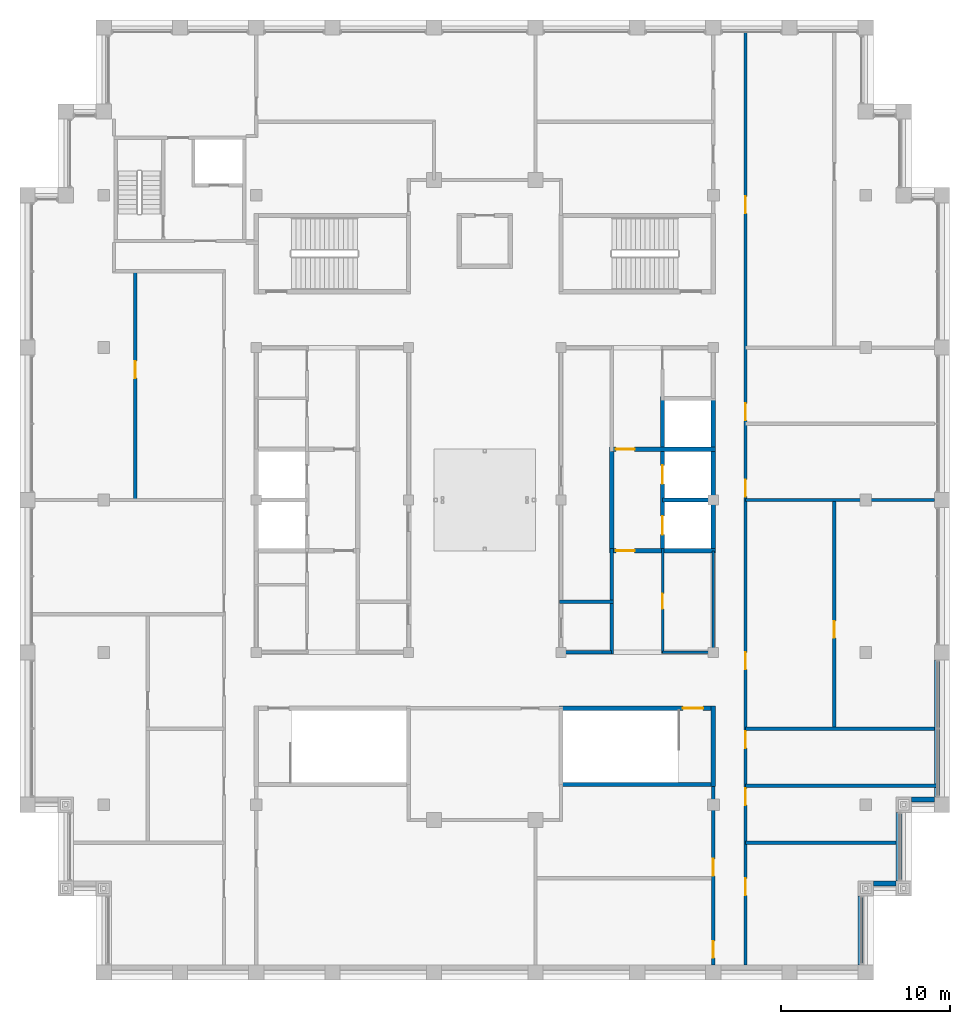
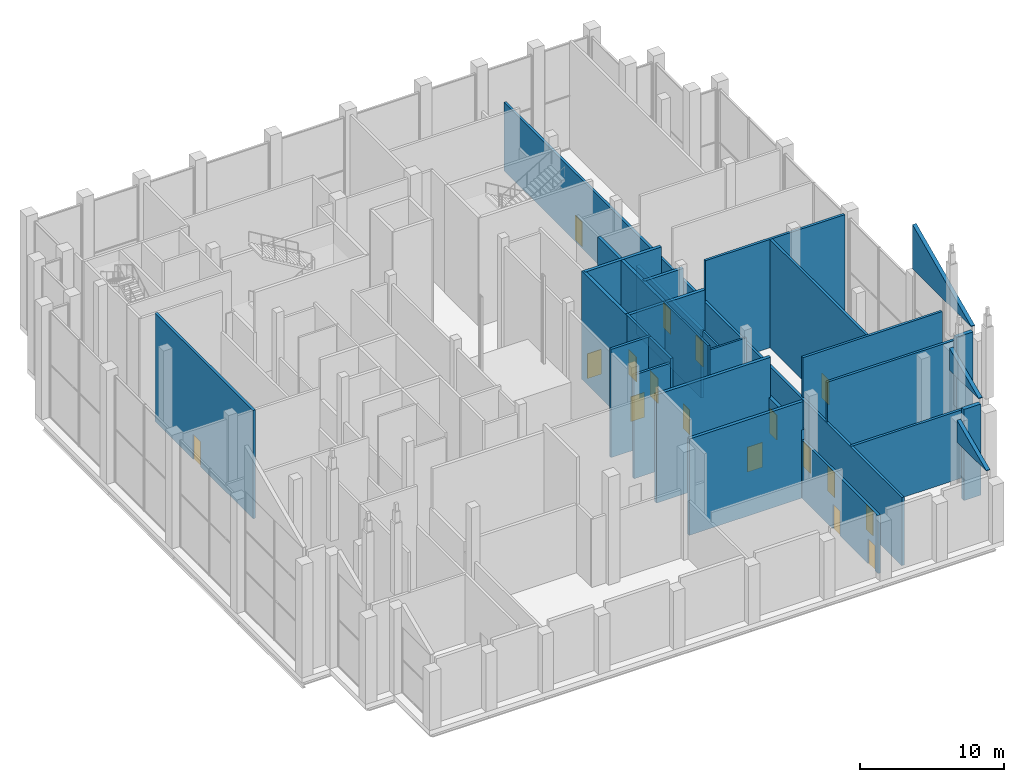
# One storey, part 13 of 16: 28 walls, 17 doors, 17 openings.
"""IFC4 building model written with IfcOpenShell, lengths in metres."""

from ifc_helpers import new_model, si_unit, direction, frame, frame_2d, origin, place, context, subcontext, project, spatial, polyline, rectangle, outline, extrude, material, layer, layer_set, type_object, element, fill, save


model = new_model("IFC4")

# Units and contexts
model_context = context("Model", 3, precision=1e-05, world=origin(), true_north=direction((0.0, 1.0)))
body_context = subcontext(model_context, "Body", "Model", "MODEL_VIEW")
ifc_project = project(units=[si_unit("LENGTHUNIT", "METRE"), si_unit("AREAUNIT", "SQUARE_METRE"), si_unit("VOLUMEUNIT", "CUBIC_METRE"), si_unit("PLANEANGLEUNIT", "RADIAN"), si_unit("MASSUNIT", "GRAM", prefix="KILO")], contexts=[model_context])

# Site, building, storey
site_placement = place(None, origin())
site = spatial("IfcSite", under=ifc_project, at=site_placement, CompositionType="ELEMENT")
building_placement = place(site_placement, origin())
building = spatial("IfcBuilding", under=site, at=building_placement, Name="Corbelhall Arena Tower", CompositionType="ELEMENT")
storey_placement = place(building_placement, frame((0.0, 0.0, 366.0)))
storey = spatial("IfcBuildingStorey", under=building, at=storey_placement, Name="L80", CompositionType="ELEMENT", Elevation=366.0)

# Walls
ifc_material_1 = material(Name="Precast concrete C40/50 with granite facing", Category="masonry")
ifc_layer_1 = layer(ifc_material_1, 0.300048828125)
ifc_layer_set_1 = layer_set([ifc_layer_1], Name="EV-IW1 Infill panel 300")
wall_type_1 = type_object("IfcWallType", Name="EV-IW1 Infill panel 300", PredefinedType="SOLIDWALL", material=ifc_layer_set_1)
wall_1_placement = place(storey_placement, frame((22.949951171875, -22.64990234375, 0.0), z_axis=(0.0, 0.0, 1.0), x_axis=(1.0, 0.0, 0.0)))
element("IfcWall", 1, at=wall_1_placement, inside=storey, type_object=wall_type_1, Name="Infill panel IW1B", PredefinedType="SOLIDWALL", context=body_context, shape_type="SweptSolid", body=[
    extrude(rectangle(XDim=1.35009765625, YDim=0.300048828125, at=frame_2d((0.675048828125, 0.0))), origin(), (0.0, 0.0, 1.0), 7.70654296875),
])
wall_2_placement = place(storey_placement, frame((25.199951171875, -17.699951171875, 0.0), z_axis=(0.0, 0.0, 1.0), x_axis=(1.0, 0.0, 0.0)))
element("IfcWall", 2, at=wall_2_placement, inside=storey, type_object=wall_type_1, Name="Infill panel IW1A", PredefinedType="SOLIDWALL", context=body_context, shape_type="SweptSolid", body=[
    extrude(rectangle(XDim=1.35009765625, YDim=0.300048828125, at=frame_2d((0.675048828125, 0.0))), origin(), (0.0, 0.0, 1.0), 10.012939453125),
])
ifc_layer_2 = layer(ifc_material_1, 0.300048828125)
ifc_layer_set_2 = layer_set([ifc_layer_2], Name="EV-IW3 Parapet 300")
wall_type_2 = type_object("IfcWallType", Name="EV-IW3 Parapet 300", PredefinedType="SOLIDWALL", material=ifc_layer_set_2)
wall_3_placement = place(storey_placement, frame((22.199951171875, -27.449951171875, 5.633056640625), z_axis=(0.0, 0.0, 1.0), x_axis=(0.0, 1.0, 0.0)))
element("IfcWall", 3, at=wall_3_placement, inside=storey, type_object=wall_type_2, Name="Infill panel IW3A", PredefinedType="SOLIDWALL", context=body_context, shape_type="SweptSolid", body=[
    extrude(outline(polyline([(0.0, 0.0), (4.050048828125, 0.0), (4.050048828125, 1.84033203125), (0.0, 0.0498046875), (0.0, 0.0)])), frame((0.0, 0.14990234375, 0.0), z_axis=(0.0, -1.0, 0.0), x_axis=(1.0, 0.0, 0.0)), (0.0, 0.0, 1.0), 0.300048828125),
])
wall_4_placement = place(storey_placement, frame((24.449951171875, -22.5, 7.939453125), z_axis=(0.0, 0.0, 1.0), x_axis=(0.0, 1.0, 0.0)))
element("IfcWall", 4, at=wall_4_placement, inside=storey, type_object=wall_type_2, Name="Infill panel IW3B", PredefinedType="SOLIDWALL", context=body_context, shape_type="SweptSolid", body=[
    extrude(outline(polyline([(0.0, 0.0), (4.050048828125, 0.0), (4.050048828125, 1.840576171875), (0.0, 0.050048828125), (0.0, 0.0)])), frame((0.0, 0.14990234375, 0.0), z_axis=(0.0, -1.0, 0.0), x_axis=(1.0, 0.0, 0.0)), (0.0, 0.0, 1.0), 0.300048828125),
])
wall_5_placement = place(storey_placement, frame((26.699951171875, -17.550048828125, 10.245849609375), z_axis=(0.0, 0.0, 1.0), x_axis=(0.0, 1.0, 0.0)))
element("IfcWall", 5, at=wall_5_placement, inside=storey, type_object=wall_type_2, Name="Infill panel IW3", PredefinedType="SOLIDWALL", context=body_context, shape_type="SweptSolid", body=[
    extrude(outline(polyline([(0.0, 0.0), (8.10009765625, 0.0), (8.10009765625, 3.7275390625), (0.0, 0.050048828125), (0.0, 0.0)])), frame((0.0, 0.14990234375, 0.0), z_axis=(0.0, -1.0, 0.0), x_axis=(1.0, 0.0, 0.0)), (0.0, 0.0, 1.0), 0.300048828125),
])

# Wall, opening, door
ifc_material_2 = material(Name="Gypsum board on steel stud, acoustic", Category="steel")
ifc_layer_3 = layer(ifc_material_2, 0.199951171875)
ifc_layer_set_3 = layer_set([ifc_layer_3], Name="IN-W-DM200")
wall_type_3 = type_object("IfcWallType", Name="IN-W-DM200", PredefinedType="PARTITIONING", material=ifc_layer_set_3)
wall_6_placement = place(storey_placement, frame((-20.64990234375, -0.10009765625, 0.0), z_axis=(0.0, 0.0, 1.0), x_axis=(0.0, 1.0, 0.0)))
wall_6 = element("IfcWall", 6, at=wall_6_placement, inside=storey, type_object=wall_type_3, Name="Partition 005", PredefinedType="PARTITIONING", context=body_context, shape_type="SweptSolid", body=[
    extrude(rectangle(XDim=13.60009765625, YDim=0.199951171875, at=frame_2d((6.800048828125, 0.0))), origin(), (0.0, 0.0, 1.0), 9.149658203125),
])
opening_1_placement = place(wall_6_placement, frame((7.300048828125, 0.0, 0.0)))
opening_1 = element("IfcOpeningElement", 7, at=opening_1_placement, cuts=wall_6, Name="Opening 34028", PredefinedType="OPENING", context=body_context, shape_type="SweptSolid", body=[
    extrude(rectangle(XDim=1.0, YDim=2.10009765625, at=frame_2d((0.5, 1.050048828125))), frame((0.0, 0.10009765625, 0.0), z_axis=(0.0, -1.0, 0.0), x_axis=(1.0, 0.0, 0.0)), (0.0, 0.0, 1.0), 0.199951171875),
])
ifc_material_3 = material(Name="Steel door set", Category="steel")
door_type_1 = type_object("IfcDoorType", Name="IN-D-SW100", OperationType="NOTDEFINED", PredefinedType="DOOR", material=ifc_material_3)
door_1_placement = place(opening_1_placement, origin())
door_1 = element("IfcDoor", 8, at=door_1_placement, inside=storey, type_object=door_type_1, Name="Door 028", OperationType="SINGLE_SWING_LEFT", OverallHeight=2.10009765625, OverallWidth=1.0, PredefinedType="DOOR", context=body_context, shape_type="SweptSolid", body=[
    extrude(rectangle(XDim=1.0, YDim=2.10009765625, at=frame_2d((0.5, 1.050048828125))), frame((0.0, 0.02490234375, 0.0), z_axis=(0.0, -1.0, 0.0), x_axis=(1.0, 0.0, 0.0)), (0.0, 0.0, 1.0), 0.050048828125),
])
fill(opening_1, door_1)

# Wall
wall_7_placement = place(storey_placement, frame((15.39990234375, -20.25, 0.0), z_axis=(0.0, 0.0, 1.0), x_axis=(1.0, 0.0, 0.0)))
element("IfcWall", 9, at=wall_7_placement, inside=storey, type_object=wall_type_3, Name="Partition 030", PredefinedType="PARTITIONING", context=body_context, shape_type="SweptSolid", body=[
    extrude(rectangle(XDim=9.086181640625, YDim=0.199951171875, at=frame_2d((4.54296875, 0.0))), origin(), (0.0, 0.0, 1.0), 5.759765625),
])

# Wall, openings, doors
wall_8_placement = place(storey_placement, frame((15.39990234375, 27.635986328125, 0.0), z_axis=(0.0, 0.0, 1.0), x_axis=(0.0, -1.0, 0.0)))
wall_8 = element("IfcWall", 10, at=wall_8_placement, inside=storey, type_object=wall_type_3, Name="Partition 031", PredefinedType="PARTITIONING", context=body_context, shape_type="SweptSolid", body=[
    extrude(rectangle(XDim=55.0859375, YDim=0.199951171875, at=frame_2d((27.54296875, 0.0))), origin(), (0.0, 0.0, 1.0), 5.759765625),
])
opening_2_placement = place(wall_8_placement, frame((26.43603515625, 0.0, 0.0)))
opening_2 = element("IfcOpeningElement", 11, at=opening_2_placement, cuts=wall_8, Name="Opening 34034", PredefinedType="OPENING", context=body_context, shape_type="SweptSolid", body=[
    extrude(rectangle(XDim=1.0, YDim=2.10009765625, at=frame_2d((0.5, 1.050048828125))), frame((0.0, 0.10009765625, 0.0), z_axis=(0.0, -1.0, 0.0), x_axis=(1.0, 0.0, 0.0)), (0.0, 0.0, 1.0), 0.199951171875),
])
opening_3_placement = place(wall_8_placement, frame((21.93603515625, 0.0, 0.0)))
opening_3 = element("IfcOpeningElement", 12, at=opening_3_placement, cuts=wall_8, Name="Opening 34035", PredefinedType="OPENING", context=body_context, shape_type="SweptSolid", body=[
    extrude(rectangle(XDim=1.0, YDim=2.10009765625, at=frame_2d((0.5, 1.050048828125))), frame((0.0, 0.10009765625, 0.0), z_axis=(0.0, -1.0, 0.0), x_axis=(1.0, 0.0, 0.0)), (0.0, 0.0, 1.0), 0.199951171875),
])
opening_4_placement = place(wall_8_placement, frame((9.699951171875, 0.0, 0.0)))
opening_4 = element("IfcOpeningElement", 13, at=opening_4_placement, cuts=wall_8, Name="Opening 34036", PredefinedType="OPENING", context=body_context, shape_type="SweptSolid", body=[
    extrude(rectangle(XDim=1.0, YDim=2.10009765625, at=frame_2d((0.5, 1.050048828125))), frame((0.0, 0.10009765625, 0.0), z_axis=(0.0, -1.0, 0.0), x_axis=(1.0, 0.0, 0.0)), (0.0, 0.0, 1.0), 0.199951171875),
])
opening_5_placement = place(wall_8_placement, frame((49.986083984375, 0.0, 0.0)))
opening_5 = element("IfcOpeningElement", 14, at=opening_5_placement, cuts=wall_8, Name="Opening 34038", PredefinedType="OPENING", context=body_context, shape_type="SweptSolid", body=[
    extrude(rectangle(XDim=1.0, YDim=2.10009765625, at=frame_2d((0.5, 1.050048828125))), frame((0.0, 0.10009765625, 0.0), z_axis=(0.0, -1.0, 0.0), x_axis=(1.0, 0.0, 0.0)), (0.0, 0.0, 1.0), 0.199951171875),
])
opening_6_placement = place(wall_8_placement, frame((44.660888671875, 0.0, 0.0)))
opening_6 = element("IfcOpeningElement", 15, at=opening_6_placement, cuts=wall_8, Name="Opening 34039", PredefinedType="OPENING", context=body_context, shape_type="SweptSolid", body=[
    extrude(rectangle(XDim=1.0, YDim=2.10009765625, at=frame_2d((0.5, 1.050048828125))), frame((0.0, 0.10009765625, 0.0), z_axis=(0.0, -1.0, 0.0), x_axis=(1.0, 0.0, 0.0)), (0.0, 0.0, 1.0), 0.199951171875),
])
opening_7_placement = place(wall_8_placement, frame((41.285888671875, 0.0, 0.0)))
opening_7 = element("IfcOpeningElement", 16, at=opening_7_placement, cuts=wall_8, Name="Opening 34040", PredefinedType="OPENING", context=body_context, shape_type="SweptSolid", body=[
    extrude(rectangle(XDim=1.0, YDim=2.10009765625, at=frame_2d((0.5, 1.050048828125))), frame((0.0, 0.10009765625, 0.0), z_axis=(0.0, -1.0, 0.0), x_axis=(1.0, 0.0, 0.0)), (0.0, 0.0, 1.0), 0.199951171875),
])
opening_8_placement = place(wall_8_placement, frame((36.635986328125, 0.0, 0.0)))
opening_8 = element("IfcOpeningElement", 17, at=opening_8_placement, cuts=wall_8, Name="Opening 34041", PredefinedType="OPENING", context=body_context, shape_type="SweptSolid", body=[
    extrude(rectangle(XDim=1.0, YDim=2.10009765625, at=frame_2d((0.5, 1.050048828125))), frame((0.0, 0.10009765625, 0.0), z_axis=(0.0, -1.0, 0.0), x_axis=(1.0, 0.0, 0.0)), (0.0, 0.0, 1.0), 0.199951171875),
])
door_2_placement = place(opening_2_placement, origin())
door_2 = element("IfcDoor", 18, at=door_2_placement, inside=storey, type_object=door_type_1, Name="Door 034", OperationType="SINGLE_SWING_LEFT", OverallHeight=2.10009765625, OverallWidth=1.0, PredefinedType="DOOR", context=body_context, shape_type="SweptSolid", body=[
    extrude(rectangle(XDim=1.0, YDim=2.10009765625, at=frame_2d((0.5, 1.050048828125))), frame((0.0, 0.02490234375, 0.0), z_axis=(0.0, -1.0, 0.0), x_axis=(1.0, 0.0, 0.0)), (0.0, 0.0, 1.0), 0.050048828125),
])
fill(opening_2, door_2)
door_3_placement = place(opening_3_placement, origin())
door_3 = element("IfcDoor", 19, at=door_3_placement, inside=storey, type_object=door_type_1, Name="Door 035", OperationType="SINGLE_SWING_RIGHT", OverallHeight=2.10009765625, OverallWidth=1.0, PredefinedType="DOOR", context=body_context, shape_type="SweptSolid", body=[
    extrude(rectangle(XDim=1.0, YDim=2.10009765625, at=frame_2d((0.5, 1.050048828125))), frame((0.0, 0.02490234375, 0.0), z_axis=(0.0, -1.0, 0.0), x_axis=(1.0, 0.0, 0.0)), (0.0, 0.0, 1.0), 0.050048828125),
])
fill(opening_3, door_3)
door_4_placement = place(opening_4_placement, origin())
door_4 = element("IfcDoor", 20, at=door_4_placement, inside=storey, type_object=door_type_1, Name="Door 036", OperationType="SINGLE_SWING_LEFT", OverallHeight=2.10009765625, OverallWidth=1.0, PredefinedType="DOOR", context=body_context, shape_type="SweptSolid", body=[
    extrude(rectangle(XDim=1.0, YDim=2.10009765625, at=frame_2d((0.5, 1.050048828125))), frame((0.0, 0.02490234375, 0.0), z_axis=(0.0, -1.0, 0.0), x_axis=(1.0, 0.0, 0.0)), (0.0, 0.0, 1.0), 0.050048828125),
])
fill(opening_4, door_4)
door_5_placement = place(opening_5_placement, origin())
door_5 = element("IfcDoor", 21, at=door_5_placement, inside=storey, type_object=door_type_1, Name="Door 038", OperationType="SINGLE_SWING_LEFT", OverallHeight=2.10009765625, OverallWidth=1.0, PredefinedType="DOOR", context=body_context, shape_type="SweptSolid", body=[
    extrude(rectangle(XDim=1.0, YDim=2.10009765625, at=frame_2d((0.5, 1.050048828125))), frame((0.0, 0.02490234375, 0.0), z_axis=(0.0, -1.0, 0.0), x_axis=(1.0, 0.0, 0.0)), (0.0, 0.0, 1.0), 0.050048828125),
])
fill(opening_5, door_5)
door_6_placement = place(opening_6_placement, origin())
door_6 = element("IfcDoor", 22, at=door_6_placement, inside=storey, type_object=door_type_1, Name="Door 039", OperationType="SINGLE_SWING_RIGHT", OverallHeight=2.10009765625, OverallWidth=1.0, PredefinedType="DOOR", context=body_context, shape_type="SweptSolid", body=[
    extrude(rectangle(XDim=1.0, YDim=2.10009765625, at=frame_2d((0.5, 1.050048828125))), frame((0.0, 0.02490234375, 0.0), z_axis=(0.0, -1.0, 0.0), x_axis=(1.0, 0.0, 0.0)), (0.0, 0.0, 1.0), 0.050048828125),
])
fill(opening_6, door_6)
door_7_placement = place(opening_7_placement, origin())
door_7 = element("IfcDoor", 23, at=door_7_placement, inside=storey, type_object=door_type_1, Name="Door 040", OperationType="SINGLE_SWING_LEFT", OverallHeight=2.10009765625, OverallWidth=1.0, PredefinedType="DOOR", context=body_context, shape_type="SweptSolid", body=[
    extrude(rectangle(XDim=1.0, YDim=2.10009765625, at=frame_2d((0.5, 1.050048828125))), frame((0.0, 0.02490234375, 0.0), z_axis=(0.0, -1.0, 0.0), x_axis=(1.0, 0.0, 0.0)), (0.0, 0.0, 1.0), 0.050048828125),
])
fill(opening_7, door_7)
door_8_placement = place(opening_8_placement, origin())
door_8 = element("IfcDoor", 24, at=door_8_placement, inside=storey, type_object=door_type_1, Name="Door 041", OperationType="SINGLE_SWING_RIGHT", OverallHeight=2.10009765625, OverallWidth=1.0, PredefinedType="DOOR", context=body_context, shape_type="SweptSolid", body=[
    extrude(rectangle(XDim=1.0, YDim=2.10009765625, at=frame_2d((0.5, 1.050048828125))), frame((0.0, 0.02490234375, 0.0), z_axis=(0.0, -1.0, 0.0), x_axis=(1.0, 0.0, 0.0)), (0.0, 0.0, 1.0), 0.050048828125),
])
fill(opening_8, door_8)

# Walls
wall_9_placement = place(storey_placement, frame((15.39990234375, -16.875, 0.0), z_axis=(0.0, 0.0, 1.0), x_axis=(1.0, 0.0, 0.0)))
element("IfcWall", 25, at=wall_9_placement, inside=storey, type_object=wall_type_3, Name="Partition 032", PredefinedType="PARTITIONING", context=body_context, shape_type="SweptSolid", body=[
    extrude(rectangle(XDim=11.336181640625, YDim=0.199951171875, at=frame_2d((5.66796875, 0.0))), origin(), (0.0, 0.0, 1.0), 9.114501953125),
])
wall_10_placement = place(storey_placement, frame((15.39990234375, -13.5, 0.0), z_axis=(0.0, 0.0, 1.0), x_axis=(1.0, 0.0, 0.0)))
element("IfcWall", 26, at=wall_10_placement, inside=storey, type_object=wall_type_3, Name="Partition 033", PredefinedType="PARTITIONING", context=body_context, shape_type="SweptSolid", body=[
    extrude(rectangle(XDim=11.150146484375, YDim=0.199951171875, at=frame_2d((5.5751953125, 0.0))), origin(), (0.0, 0.0, 1.0), 9.149658203125),
])

# Wall, opening, door
wall_11_placement = place(storey_placement, frame((20.64990234375, 0.0, 0.0), z_axis=(0.0, 0.0, 1.0), x_axis=(0.0, -1.0, 0.0)))
wall_11 = element("IfcWall", 27, at=wall_11_placement, inside=storey, type_object=wall_type_3, Name="Partition 036", PredefinedType="PARTITIONING", context=body_context, shape_type="SweptSolid", body=[
    extrude(rectangle(XDim=13.5, YDim=0.199951171875, at=frame_2d((6.75, 0.0))), origin(), (0.0, 0.0, 1.0), 9.149658203125),
])
opening_9_placement = place(wall_11_placement, frame((7.14990234375, 0.0, 0.0)))
opening_9 = element("IfcOpeningElement", 28, at=opening_9_placement, cuts=wall_11, Name="Opening 34042", PredefinedType="OPENING", context=body_context, shape_type="SweptSolid", body=[
    extrude(rectangle(XDim=1.0, YDim=2.10009765625, at=frame_2d((0.5, 1.050048828125))), frame((0.0, 0.10009765625, 0.0), z_axis=(0.0, -1.0, 0.0), x_axis=(1.0, 0.0, 0.0)), (0.0, 0.0, 1.0), 0.199951171875),
])
door_9_placement = place(opening_9_placement, origin())
door_9 = element("IfcDoor", 29, at=door_9_placement, inside=storey, type_object=door_type_1, Name="Door 042", OperationType="SINGLE_SWING_LEFT", OverallHeight=2.10009765625, OverallWidth=1.0, PredefinedType="DOOR", context=body_context, shape_type="SweptSolid", body=[
    extrude(rectangle(XDim=1.0, YDim=2.10009765625, at=frame_2d((0.5, 1.050048828125))), frame((0.0, 0.02490234375, 0.0), z_axis=(0.0, -1.0, 0.0), x_axis=(1.0, 0.0, 0.0)), (0.0, 0.0, 1.0), 0.050048828125),
])
fill(opening_9, door_9)

# Wall
wall_12_placement = place(storey_placement, frame((26.550048828125, 0.0, 0.0), z_axis=(0.0, 0.0, 1.0), x_axis=(-1.0, 0.0, 0.0)))
element("IfcWall", 30, at=wall_12_placement, inside=storey, type_object=wall_type_3, Name="Partition 038", PredefinedType="PARTITIONING", context=body_context, shape_type="SweptSolid", body=[
    extrude(rectangle(XDim=11.150146484375, YDim=0.199951171875, at=frame_2d((5.5751953125, 0.0))), origin(), (0.0, 0.0, 1.0), 9.149658203125),
])

# Wall, openings, doors
ifc_layer_4 = layer(ifc_material_2, 0.199951171875)
ifc_layer_set_4 = layer_set([ifc_layer_4], Name="IN-W-DM200 under beam 844 mm")
wall_type_4 = type_object("IfcWallType", Name="IN-W-DM200 under beam 844 mm", PredefinedType="PARTITIONING", material=ifc_layer_set_4)
wall_13_placement = place(storey_placement, frame((13.5, -27.449951171875, 0.0), z_axis=(0.0, 0.0, 1.0), x_axis=(0.0, 1.0, 0.0)))
wall_13 = element("IfcWall", 31, at=wall_13_placement, inside=storey, type_object=wall_type_4, Name="Partition 028", PredefinedType="PARTITIONING", context=body_context, shape_type="SweptSolid", body=[
    extrude(rectangle(XDim=10.77490234375, YDim=0.199951171875, at=frame_2d((5.387451171875, 0.0))), origin(), (0.0, 0.0, 1.0), 4.916015625),
])
opening_10_placement = place(wall_13_placement, frame((0.39990234375, 0.0, 0.0)))
opening_10 = element("IfcOpeningElement", 32, at=opening_10_placement, cuts=wall_13, Name="Opening 34025", PredefinedType="OPENING", context=body_context, shape_type="SweptSolid", body=[
    extrude(rectangle(XDim=1.0, YDim=2.10009765625, at=frame_2d((0.5, 1.050048828125))), frame((0.0, 0.10009765625, 0.0), z_axis=(0.0, -1.0, 0.0), x_axis=(1.0, 0.0, 0.0)), (0.0, 0.0, 1.0), 0.199951171875),
])
opening_11_placement = place(wall_13_placement, frame((5.25, 0.0, 0.0)))
opening_11 = element("IfcOpeningElement", 33, at=opening_11_placement, cuts=wall_13, Name="Opening 34026", PredefinedType="OPENING", context=body_context, shape_type="SweptSolid", body=[
    extrude(rectangle(XDim=1.0, YDim=2.10009765625, at=frame_2d((0.5, 1.050048828125))), frame((0.0, 0.10009765625, 0.0), z_axis=(0.0, -1.0, 0.0), x_axis=(1.0, 0.0, 0.0)), (0.0, 0.0, 1.0), 0.199951171875),
])
door_10_placement = place(opening_10_placement, origin())
door_10 = element("IfcDoor", 34, at=door_10_placement, inside=storey, type_object=door_type_1, Name="Door 025", OperationType="SINGLE_SWING_RIGHT", OverallHeight=2.10009765625, OverallWidth=1.0, PredefinedType="DOOR", context=body_context, shape_type="SweptSolid", body=[
    extrude(rectangle(XDim=1.0, YDim=2.10009765625, at=frame_2d((0.5, 1.050048828125))), frame((0.0, 0.02490234375, 0.0), z_axis=(0.0, -1.0, 0.0), x_axis=(1.0, 0.0, 0.0)), (0.0, 0.0, 1.0), 0.050048828125),
])
fill(opening_10, door_10)
door_11_placement = place(opening_11_placement, origin())
door_11 = element("IfcDoor", 35, at=door_11_placement, inside=storey, type_object=door_type_1, Name="Door 026", OperationType="SINGLE_SWING_LEFT", OverallHeight=2.10009765625, OverallWidth=1.0, PredefinedType="DOOR", context=body_context, shape_type="SweptSolid", body=[
    extrude(rectangle(XDim=1.0, YDim=2.10009765625, at=frame_2d((0.5, 1.050048828125))), frame((0.0, 0.02490234375, 0.0), z_axis=(0.0, -1.0, 0.0), x_axis=(1.0, 0.0, 0.0)), (0.0, 0.0, 1.0), 0.050048828125),
])
fill(opening_11, door_11)

# Walls
ifc_material_4 = material(Name="Concrete block wall", Category="concrete")
ifc_layer_5 = layer(ifc_material_4, 0.199951171875)
ifc_layer_set_5 = layer_set([ifc_layer_5], Name="IN-W-RS200")
wall_type_5 = type_object("IfcWallType", Name="IN-W-RS200", PredefinedType="SOLIDWALL", material=ifc_layer_set_5)
wall_14_placement = place(storey_placement, frame((4.39990234375, -6.0, 0.0), z_axis=(0.0, 0.0, 1.0), x_axis=(1.0, 0.0, 0.0)))
element("IfcWall", 36, at=wall_14_placement, inside=storey, type_object=wall_type_5, Name="Partition 050", PredefinedType="SOLIDWALL", context=body_context, shape_type="SweptSolid", body=[
    extrude(rectangle(XDim=3.2001953125, YDim=0.199951171875, at=frame_2d((1.60009765625, 0.0))), origin(), (0.0, 0.0, 1.0), 9.149658203125),
])
wall_15_placement = place(storey_placement, frame((7.5, -2.875, 0.0), z_axis=(0.0, 0.0, 1.0), x_axis=(0.0, -1.0, 0.0)))
element("IfcWall", 37, at=wall_15_placement, inside=storey, type_object=wall_type_5, Name="Partition 054", PredefinedType="SOLIDWALL", context=body_context, shape_type="SweptSolid", body=[
    extrude(rectangle(XDim=6.22509765625, YDim=0.199951171875, at=frame_2d((3.112548828125, 0.0))), origin(), (0.0, 0.0, 1.0), 9.149658203125),
])
ifc_layer_6 = layer(ifc_material_4, 0.199951171875)
ifc_layer_set_6 = layer_set([ifc_layer_6], Name="IN-W-RS200 under beam 396 mm")
wall_type_6 = type_object("IfcWallType", Name="IN-W-RS200 under beam 396 mm", PredefinedType="SOLIDWALL", material=ifc_layer_set_6)
wall_16_placement = place(storey_placement, frame((7.5, -9.0, 0.0), z_axis=(0.0, 0.0, 1.0), x_axis=(-1.0, 0.0, 0.0)))
element("IfcWall", 38, at=wall_16_placement, inside=storey, type_object=wall_type_6, Name="Partition 053", PredefinedType="SOLIDWALL", context=body_context, shape_type="SweptSolid", body=[
    extrude(rectangle(XDim=3.0, YDim=0.199951171875, at=frame_2d((1.5, 0.0))), origin(), (0.0, 0.0, 1.0), 8.75390625),
])

# Wall, opening, door
ifc_material_5 = material(Name="Concrete C40/50", Category="concrete")
ifc_layer_7 = layer(ifc_material_5, 0.25)
ifc_layer_set_7 = layer_set([ifc_layer_7], Name="IN-W-SH250")
wall_type_7 = type_object("IfcWallType", Name="IN-W-SH250", PredefinedType="SOLIDWALL", material=ifc_layer_set_7)
wall_17_placement = place(storey_placement, frame((7.5, -3.0, 0.0), z_axis=(0.0, 0.0, 1.0), x_axis=(1.0, 0.0, 0.0)))
wall_17 = element("IfcWall", 39, at=wall_17_placement, inside=storey, type_object=wall_type_7, Name="Shaft wall 069", PredefinedType="SOLIDWALL", context=body_context, shape_type="SweptSolid", body=[
    extrude(rectangle(XDim=6.125, YDim=0.25, at=frame_2d((3.0625, 0.0))), origin(), (0.0, 0.0, 1.0), 9.149658203125),
])
opening_12_placement = place(wall_17_placement, frame((0.25, 0.0, 0.0)))
opening_12 = element("IfcOpeningElement", 40, at=opening_12_placement, cuts=wall_17, Name="Opening 34011", PredefinedType="OPENING", context=body_context, shape_type="SweptSolid", body=[
    extrude(rectangle(XDim=1.10009765625, YDim=2.10009765625, at=frame_2d((0.550048828125, 1.050048828125))), frame((0.0, 0.125, 0.0), z_axis=(0.0, -1.0, 0.0), x_axis=(1.0, 0.0, 0.0)), (0.0, 0.0, 1.0), 0.25),
])
door_type_2 = type_object("IfcDoorType", Name="IN-D-FD110", OperationType="NOTDEFINED", PredefinedType="DOOR", material=ifc_material_3)
door_12_placement = place(opening_12_placement, origin())
door_12 = element("IfcDoor", 41, at=door_12_placement, inside=storey, type_object=door_type_2, Name="Door 011", OperationType="SINGLE_SWING_RIGHT", OverallHeight=2.10009765625, OverallWidth=1.10009765625, PredefinedType="DOOR", context=body_context, shape_type="SweptSolid", body=[
    extrude(rectangle(XDim=1.10009765625, YDim=2.10009765625, at=frame_2d((0.550048828125, 1.050048828125))), frame((0.0, 0.02490234375, 0.0), z_axis=(0.0, -1.0, 0.0), x_axis=(1.0, 0.0, 0.0)), (0.0, 0.0, 1.0), 0.050048828125),
])
fill(opening_12, door_12)

wall_18_placement = place(storey_placement, frame((7.5, 3.0, 0.0), z_axis=(0.0, 0.0, 1.0), x_axis=(1.0, 0.0, 0.0)))
wall_18 = element("IfcWall", 42, at=wall_18_placement, inside=storey, type_object=wall_type_7, Name="Shaft wall 070", PredefinedType="SOLIDWALL", context=body_context, shape_type="SweptSolid", body=[
    extrude(rectangle(XDim=6.125, YDim=0.25, at=frame_2d((3.0625, 0.0))), origin(), (0.0, 0.0, 1.0), 9.149658203125),
])
opening_13_placement = place(wall_18_placement, frame((0.25, 0.0, 0.0)))
opening_13 = element("IfcOpeningElement", 43, at=opening_13_placement, cuts=wall_18, Name="Opening 34012", PredefinedType="OPENING", context=body_context, shape_type="SweptSolid", body=[
    extrude(rectangle(XDim=1.10009765625, YDim=2.10009765625, at=frame_2d((0.550048828125, 1.050048828125))), frame((0.0, 0.125, 0.0), z_axis=(0.0, -1.0, 0.0), x_axis=(1.0, 0.0, 0.0)), (0.0, 0.0, 1.0), 0.25),
])
door_13_placement = place(opening_13_placement, origin())
door_13 = element("IfcDoor", 44, at=door_13_placement, inside=storey, type_object=door_type_2, Name="Door 012", OperationType="SINGLE_SWING_LEFT", OverallHeight=2.10009765625, OverallWidth=1.10009765625, PredefinedType="DOOR", context=body_context, shape_type="SweptSolid", body=[
    extrude(rectangle(XDim=1.10009765625, YDim=2.10009765625, at=frame_2d((0.550048828125, 1.050048828125))), frame((0.0, 0.02490234375, 0.0), z_axis=(0.0, -1.0, 0.0), x_axis=(1.0, 0.0, 0.0)), (0.0, 0.0, 1.0), 0.050048828125),
])
fill(opening_13, door_13)

# Walls
wall_19_placement = place(storey_placement, frame((7.5, 3.125, 0.0), z_axis=(0.0, 0.0, 1.0), x_axis=(0.0, -1.0, 0.0)))
element("IfcWall", 45, at=wall_19_placement, inside=storey, type_object=wall_type_7, Name="Shaft wall 071", PredefinedType="SOLIDWALL", context=body_context, shape_type="SweptSolid", body=[
    extrude(rectangle(XDim=6.25, YDim=0.25, at=frame_2d((3.125, 0.0))), origin(), (0.0, 0.0, 1.0), 9.149658203125),
])
wall_20_placement = place(storey_placement, frame((10.5, 0.0, 0.0), z_axis=(0.0, 0.0, 1.0), x_axis=(1.0, 0.0, 0.0)))
element("IfcWall", 46, at=wall_20_placement, inside=storey, type_object=wall_type_7, Name="Shaft wall 072", PredefinedType="SOLIDWALL", context=body_context, shape_type="SweptSolid", body=[
    extrude(rectangle(XDim=3.125, YDim=0.25, at=frame_2d((1.5625, 0.0))), origin(), (0.0, 0.0, 1.0), 9.149658203125),
])

# Wall, openings, doors
wall_21_placement = place(storey_placement, frame((10.5, 6.125, 0.0), z_axis=(0.0, 0.0, 1.0), x_axis=(0.0, -1.0, 0.0)))
wall_21 = element("IfcWall", 47, at=wall_21_placement, inside=storey, type_object=wall_type_7, Name="Shaft wall 073", PredefinedType="SOLIDWALL", context=body_context, shape_type="SweptSolid", body=[
    extrude(rectangle(XDim=9.25, YDim=0.25, at=frame_2d((4.625, 0.0))), origin(), (0.0, 0.0, 1.0), 9.149658203125),
])
opening_14_placement = place(wall_21_placement, frame((7.074951171875, 0.0, 0.0)))
opening_14 = element("IfcOpeningElement", 48, at=opening_14_placement, cuts=wall_21, Name="Opening LD", PredefinedType="OPENING", context=body_context, shape_type="SweptSolid", body=[
    extrude(rectangle(XDim=1.10009765625, YDim=2.10009765625, at=frame_2d((0.550048828125, 1.050048828125))), frame((0.0, 0.125, 0.0), z_axis=(0.0, -1.0, 0.0), x_axis=(1.0, 0.0, 0.0)), (0.0, 0.0, 1.0), 0.25),
])
opening_15_placement = place(wall_21_placement, frame((4.074951171875, 0.0, 0.0)))
opening_15 = element("IfcOpeningElement", 49, at=opening_15_placement, cuts=wall_21, Name="Opening LD", PredefinedType="OPENING", context=body_context, shape_type="SweptSolid", body=[
    extrude(rectangle(XDim=1.10009765625, YDim=2.10009765625, at=frame_2d((0.550048828125, 1.050048828125))), frame((0.0, 0.125, 0.0), z_axis=(0.0, -1.0, 0.0), x_axis=(1.0, 0.0, 0.0)), (0.0, 0.0, 1.0), 0.25),
])
door_type_3 = type_object("IfcDoorType", Name="IN-D-LD110", OperationType="NOTDEFINED", PredefinedType="DOOR", material=ifc_material_3)
door_14_placement = place(opening_14_placement, origin())
door_14 = element("IfcDoor", 50, at=door_14_placement, inside=storey, type_object=door_type_3, Name="Landing door E3", OperationType="SLIDING_TO_LEFT", OverallHeight=2.10009765625, OverallWidth=1.10009765625, PredefinedType="DOOR", context=body_context, shape_type="SweptSolid", body=[
    extrude(rectangle(XDim=1.10009765625, YDim=2.10009765625, at=frame_2d((0.550048828125, 1.050048828125))), frame((0.0, 0.02490234375, 0.0), z_axis=(0.0, -1.0, 0.0), x_axis=(1.0, 0.0, 0.0)), (0.0, 0.0, 1.0), 0.050048828125),
])
fill(opening_14, door_14)
door_15_placement = place(opening_15_placement, origin())
door_15 = element("IfcDoor", 51, at=door_15_placement, inside=storey, type_object=door_type_3, Name="Landing door E4", OperationType="SLIDING_TO_LEFT", OverallHeight=2.10009765625, OverallWidth=1.10009765625, PredefinedType="DOOR", context=body_context, shape_type="SweptSolid", body=[
    extrude(rectangle(XDim=1.10009765625, YDim=2.10009765625, at=frame_2d((0.550048828125, 1.050048828125))), frame((0.0, 0.02490234375, 0.0), z_axis=(0.0, -1.0, 0.0), x_axis=(1.0, 0.0, 0.0)), (0.0, 0.0, 1.0), 0.050048828125),
])
fill(opening_15, door_15)

# Walls
wall_22_placement = place(storey_placement, frame((13.5, 6.0, 0.0), z_axis=(0.0, 0.0, 1.0), x_axis=(0.0, -1.0, 0.0)))
element("IfcWall", 52, at=wall_22_placement, inside=storey, type_object=wall_type_7, Name="Shaft wall 075", PredefinedType="SOLIDWALL", context=body_context, shape_type="SweptSolid", body=[
    extrude(rectangle(XDim=9.0, YDim=0.25, at=frame_2d((4.5, 0.0))), origin(), (0.0, 0.0, 1.0), 5.759765625),
])
ifc_layer_8 = layer(ifc_material_5, 0.25)
ifc_layer_set_8 = layer_set([ifc_layer_8], Name="IN-W-ST250")
wall_type_8 = type_object("IfcWallType", Name="IN-W-ST250", PredefinedType="SOLIDWALL", material=ifc_layer_set_8)
wall_23_placement = place(storey_placement, frame((13.5, -16.925048828125, 0.0), z_axis=(0.0, 0.0, 1.0), x_axis=(0.0, 1.0, 0.0)))
element("IfcWall", 53, at=wall_23_placement, inside=storey, type_object=wall_type_8, Name="Shaft wall 088", PredefinedType="SOLIDWALL", context=body_context, shape_type="SweptSolid", body=[
    extrude(rectangle(XDim=4.75, YDim=0.25, at=frame_2d((2.375, 0.0))), origin(), (0.0, 0.0, 1.0), 5.759765625),
])
wall_24_placement = place(storey_placement, frame((13.5, -16.800048828125, 0.0), z_axis=(0.0, 0.0, 1.0), x_axis=(-1.0, 0.0, 0.0)))
element("IfcWall", 54, at=wall_24_placement, inside=storey, type_object=wall_type_8, Name="Shaft wall 089", PredefinedType="SOLIDWALL", context=body_context, shape_type="SweptSolid", body=[
    extrude(rectangle(XDim=9.10009765625, YDim=0.25, at=frame_2d((4.550048828125, 0.0))), origin(), (0.0, 0.0, 1.0), 8.135986328125),
])

# Wall, opening, door
wall_25_placement = place(storey_placement, frame((13.5, -12.300048828125, 0.0), z_axis=(0.0, 0.0, 1.0), x_axis=(-1.0, 0.0, 0.0)))
wall_25 = element("IfcWall", 55, at=wall_25_placement, inside=storey, type_object=wall_type_8, Name="Shaft wall 090", PredefinedType="SOLIDWALL", context=body_context, shape_type="SweptSolid", body=[
    extrude(rectangle(XDim=9.125, YDim=0.25, at=frame_2d((4.5625, 0.0))), origin(), (0.0, 0.0, 1.0), 9.149658203125),
])
opening_16_placement = place(wall_25_placement, frame((0.60009765625, 0.0, 0.0)))
opening_16 = element("IfcOpeningElement", 56, at=opening_16_placement, cuts=wall_25, Name="Opening 34018", PredefinedType="OPENING", context=body_context, shape_type="SweptSolid", body=[
    extrude(rectangle(XDim=1.199951171875, YDim=2.10009765625, at=frame_2d((0.60009765625, 1.050048828125))), frame((0.0, 0.125, 0.0), z_axis=(0.0, -1.0, 0.0), x_axis=(1.0, 0.0, 0.0)), (0.0, 0.0, 1.0), 0.25),
])
door_type_4 = type_object("IfcDoorType", Name="IN-D-ST120", OperationType="NOTDEFINED", PredefinedType="DOOR", material=ifc_material_3)
door_16_placement = place(opening_16_placement, origin())
door_16 = element("IfcDoor", 57, at=door_16_placement, inside=storey, type_object=door_type_4, Name="Door 018", OperationType="SINGLE_SWING_LEFT", OverallHeight=2.10009765625, OverallWidth=1.199951171875, PredefinedType="DOOR", context=body_context, shape_type="SweptSolid", body=[
    extrude(rectangle(XDim=1.199951171875, YDim=2.10009765625, at=frame_2d((0.60009765625, 1.050048828125))), frame((0.0, 0.02490234375, 0.0), z_axis=(0.0, -1.0, 0.0), x_axis=(1.0, 0.0, 0.0)), (0.0, 0.0, 1.0), 0.050048828125),
])
fill(opening_16, door_16)

ifc_material_6 = material(Name="Gypsum board on steel stud, moisture resistant", Category="steel")
ifc_layer_9 = layer(ifc_material_6, 0.14990234375)
ifc_layer_set_9 = layer_set([ifc_layer_9], Name="IN-W-WC150")
wall_type_9 = type_object("IfcWallType", Name="IN-W-WC150", PredefinedType="PARTITIONING", material=ifc_layer_set_9)
wall_26_placement = place(storey_placement, frame((10.5, -2.875, 0.0), z_axis=(0.0, 0.0, 1.0), x_axis=(0.0, -1.0, 0.0)))
wall_26 = element("IfcWall", 58, at=wall_26_placement, inside=storey, type_object=wall_type_9, Name="Partition 099", PredefinedType="PARTITIONING", context=body_context, shape_type="SweptSolid", body=[
    extrude(rectangle(XDim=6.199951171875, YDim=0.14990234375, at=frame_2d((3.10009765625, 0.0))), origin(), (0.0, 0.0, 1.0), 9.149658203125),
])
opening_17_placement = place(wall_26_placement, frame((2.64990234375, 0.0, 0.0)))
opening_17 = element("IfcOpeningElement", 59, at=opening_17_placement, cuts=wall_26, Name="Opening 34013", PredefinedType="OPENING", context=body_context, shape_type="SweptSolid", body=[
    extrude(rectangle(XDim=0.89990234375, YDim=2.10009765625, at=frame_2d((0.449951171875, 1.050048828125))), frame((0.0, 0.074951171875, 0.0), z_axis=(0.0, -1.0, 0.0), x_axis=(1.0, 0.0, 0.0)), (0.0, 0.0, 1.0), 0.14990234375),
])
ifc_material_7 = material(Name="Timber door set", Category="wood")
door_type_5 = type_object("IfcDoorType", Name="IN-D-SW90", OperationType="NOTDEFINED", PredefinedType="DOOR", material=ifc_material_7)
door_17_placement = place(opening_17_placement, origin())
door_17 = element("IfcDoor", 60, at=door_17_placement, inside=storey, type_object=door_type_5, Name="Door 013", OperationType="SINGLE_SWING_RIGHT", OverallHeight=2.10009765625, OverallWidth=0.89990234375, PredefinedType="DOOR", context=body_context, shape_type="SweptSolid", body=[
    extrude(rectangle(XDim=0.89990234375, YDim=2.10009765625, at=frame_2d((0.449951171875, 1.050048828125))), frame((0.0, 0.02490234375, 0.0), z_axis=(0.0, -1.0, 0.0), x_axis=(1.0, 0.0, 0.0)), (0.0, 0.0, 1.0), 0.050048828125),
])
fill(opening_17, door_17)

# Walls
wall_27_placement = place(storey_placement, frame((13.5, -3.0, 0.0), z_axis=(0.0, 0.0, 1.0), x_axis=(0.0, -1.0, 0.0)))
element("IfcWall", 61, at=wall_27_placement, inside=storey, type_object=wall_type_9, Name="Partition 101", PredefinedType="PARTITIONING", context=body_context, shape_type="SweptSolid", body=[
    extrude(rectangle(XDim=6.074951171875, YDim=0.14990234375, at=frame_2d((3.03759765625, 0.0))), origin(), (0.0, 0.0, 1.0), 5.759765625),
])
ifc_layer_10 = layer(ifc_material_6, 0.14990234375)
ifc_layer_set_10 = layer_set([ifc_layer_10], Name="IN-W-WC150 under beam 396 mm")
wall_type_10 = type_object("IfcWallType", Name="IN-W-WC150 under beam 396 mm", PredefinedType="PARTITIONING", material=ifc_layer_set_10)
wall_28_placement = place(storey_placement, frame((13.5, -9.0, 0.0), z_axis=(0.0, 0.0, 1.0), x_axis=(-1.0, 0.0, 0.0)))
element("IfcWall", 62, at=wall_28_placement, inside=storey, type_object=wall_type_10, Name="Partition 100", PredefinedType="PARTITIONING", context=body_context, shape_type="SweptSolid", body=[
    extrude(rectangle(XDim=3.0, YDim=0.14990234375, at=frame_2d((1.5, 0.0))), origin(), (0.0, 0.0, 1.0), 8.75390625),
])

save(model, "model.ifc")
